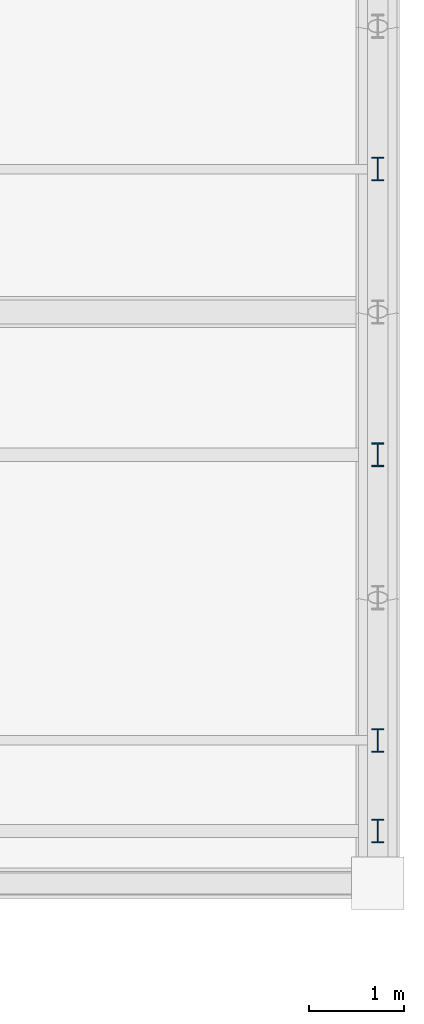
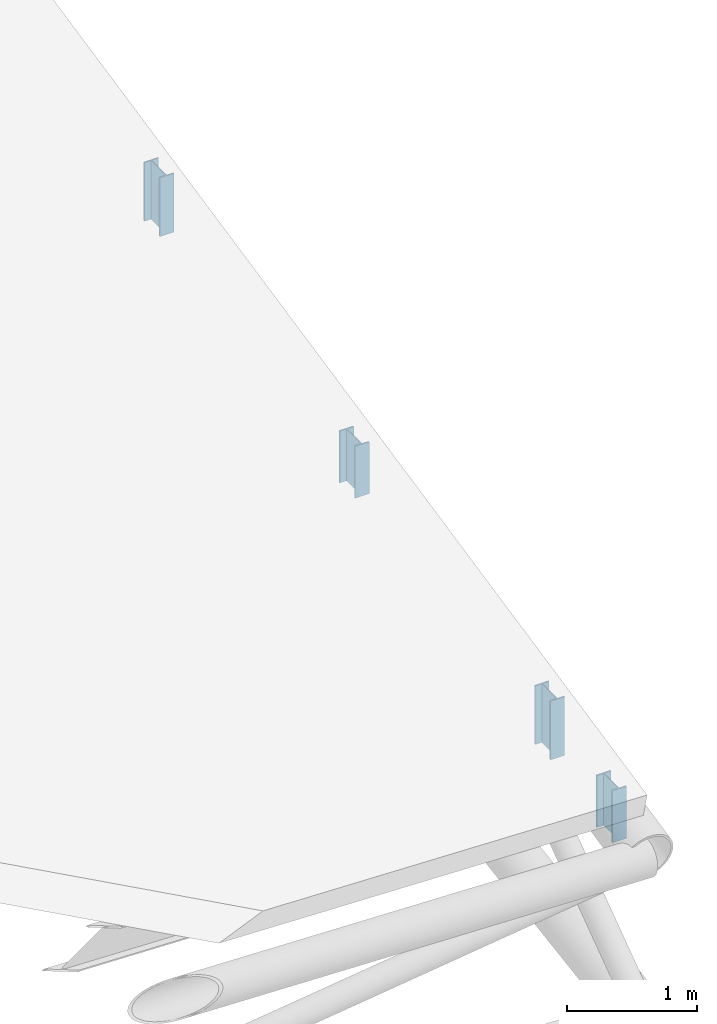
# One storey, part 82 of 109: 4 members.
"""IFC4 building model written with IfcOpenShell, lengths in metres."""

from ifc_helpers import new_model, si_unit, direction, frame, origin, origin_2d, place, context, subcontext, project, spatial, i_section, extrude, material, material_profile, profile_set, type_object, element, save


model = new_model("IFC4")

# Units and contexts
model_context = context("Model", 3, precision=1e-05, world=origin(), true_north=direction((0.0, 1.0)))
body_context = subcontext(model_context, "Body", "Model", "MODEL_VIEW")
ifc_project = project(units=[si_unit("LENGTHUNIT", "METRE"), si_unit("AREAUNIT", "SQUARE_METRE"), si_unit("VOLUMEUNIT", "CUBIC_METRE"), si_unit("PLANEANGLEUNIT", "RADIAN"), si_unit("MASSUNIT", "GRAM", prefix="KILO")], contexts=[model_context])

# Site, building, storey
site_placement = place(None, origin())
site = spatial("IfcSite", under=ifc_project, at=site_placement, CompositionType="ELEMENT")
building_placement = place(site_placement, origin())
building = spatial("IfcBuilding", under=site, at=building_placement, Name="Suirenkawa Promenade Aquatics Centre", CompositionType="ELEMENT")
storey_placement = place(building_placement, frame((0.0, 0.0, 22.800048828125)))
storey = spatial("IfcBuildingStorey", under=building, at=storey_placement, Name="ROOF", CompositionType="ELEMENT", Elevation=22.800048828125)

# Members
ifc_material = material(Name="Steel IS 2062 E350 (Grade 350)", Category="steel")
ifc_material_profile = material_profile(ifc_material, i_section(OverallWidth=0.125, OverallDepth=0.25, WebThickness=0.007080078125, FlangeThickness=0.012939453125, at=origin_2d()), Name="ISMB 250", Category="steel")
ifc_profile_set = profile_set([ifc_material_profile], Name="Steel IS 2062 E350 (Grade 350)")
member_type = type_object("IfcMemberType", Name="MT-WEB-CHS168", PredefinedType="BRACE", material=ifc_profile_set)
member_1_placement = place(storey_placement, frame((194.39990234375, 50.949951171875, -9.18408203125), z_axis=(0.0, 0.0, 1.0), x_axis=(1.0, 0.0, 0.0)))
element("IfcMember", 1, at=member_1_placement, inside=storey, type_object=member_type, Name="ROOF TRUSS Purlin cleat post TD-03 MB-2562", PredefinedType="BRACE", context=body_context, shape_type="SweptSolid", body=[
    extrude(i_section(OverallWidth=0.125, OverallDepth=0.25, WebThickness=0.007080078125, FlangeThickness=0.012939453125, at=origin_2d()), origin(), (0.0, 0.0, 1.0), 0.487060546875),
])
member_2_placement = place(storey_placement, frame((194.39990234375, 51.89990234375, -8.983154296875), z_axis=(0.0, 0.0, 1.0), x_axis=(1.0, 0.0, 0.0)))
element("IfcMember", 2, at=member_2_placement, inside=storey, type_object=member_type, Name="ROOF TRUSS Purlin cleat post TD-03 MB-2564", PredefinedType="BRACE", context=body_context, shape_type="SweptSolid", body=[
    extrude(i_section(OverallWidth=0.125, OverallDepth=0.25, WebThickness=0.007080078125, FlangeThickness=0.012939453125, at=origin_2d()), origin(), (0.0, 0.0, 1.0), 0.550048828125),
])
member_3_placement = place(storey_placement, frame((194.39990234375, 54.89990234375, -8.35009765625), z_axis=(0.0, 0.0, 1.0), x_axis=(1.0, 0.0, 0.0)))
element("IfcMember", 3, at=member_3_placement, inside=storey, type_object=member_type, Name="ROOF TRUSS Purlin cleat post TD-03 MB-2566", PredefinedType="BRACE", context=body_context, shape_type="SweptSolid", body=[
    extrude(i_section(OverallWidth=0.125, OverallDepth=0.25, WebThickness=0.007080078125, FlangeThickness=0.012939453125, at=origin_2d()), origin(), (0.0, 0.0, 1.0), 0.486083984375),
])
member_4_placement = place(storey_placement, frame((194.39990234375, 57.89990234375, -7.717041015625), z_axis=(0.0, 0.0, 1.0), x_axis=(1.0, 0.0, 0.0)))
element("IfcMember", 4, at=member_4_placement, inside=storey, type_object=member_type, Name="ROOF TRUSS Purlin cleat post TD-03 MB-2568", PredefinedType="BRACE", context=body_context, shape_type="SweptSolid", body=[
    extrude(i_section(OverallWidth=0.125, OverallDepth=0.25, WebThickness=0.007080078125, FlangeThickness=0.012939453125, at=origin_2d()), origin(), (0.0, 0.0, 1.0), 0.551025390625),
])

save(model, "model.ifc")
